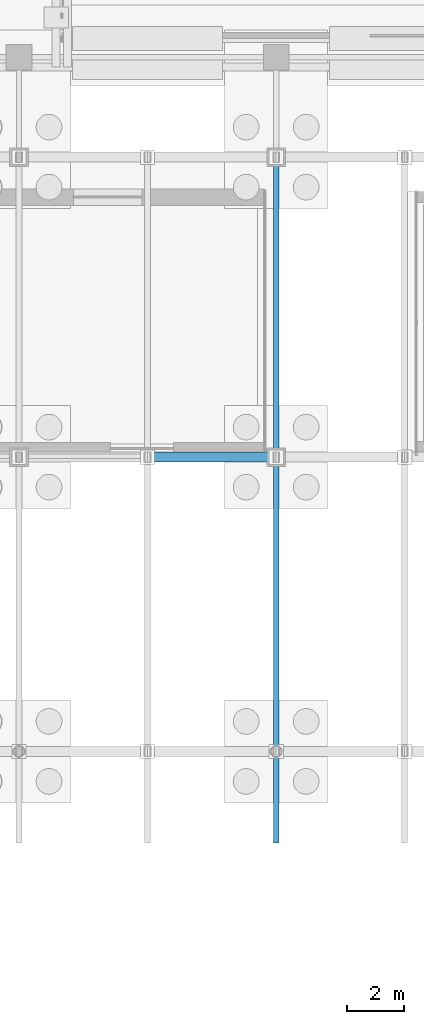
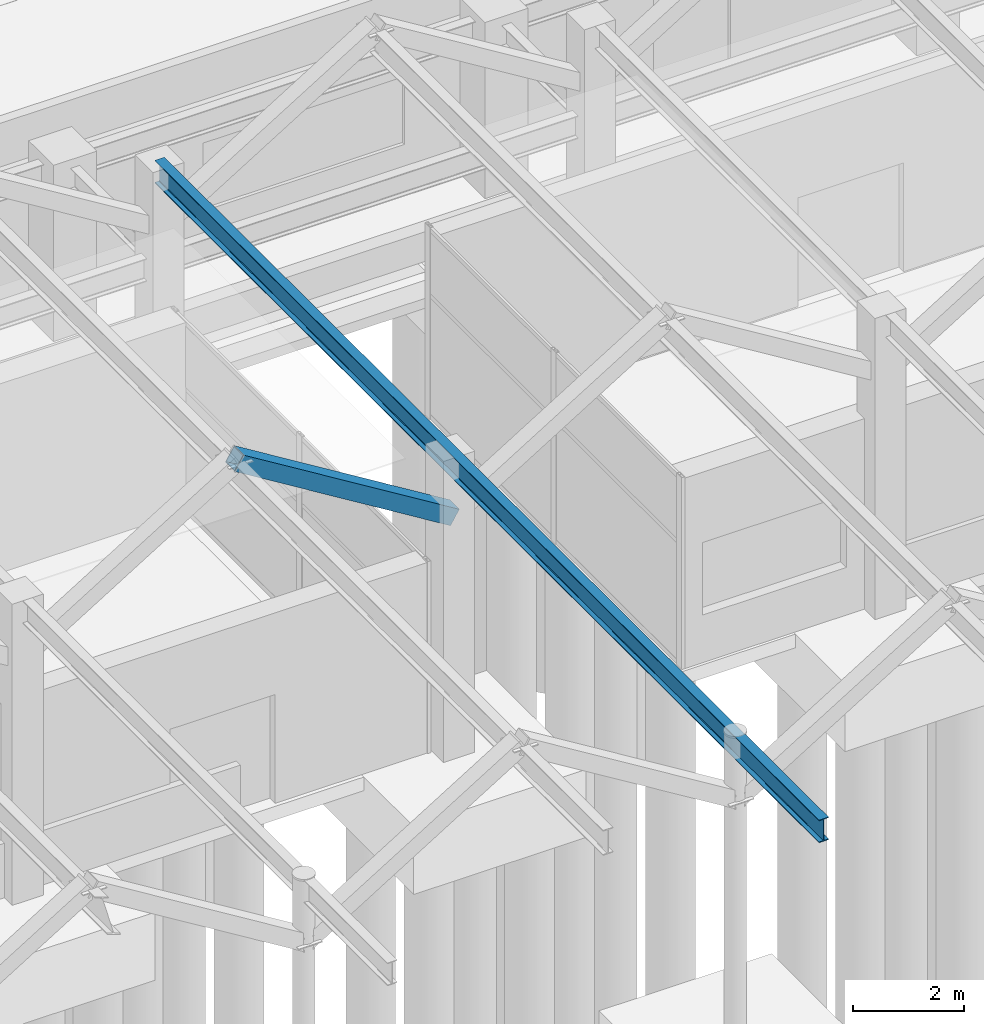
# One storey, part 43 of 160: 1 beam, 1 member.
"""IFC4 building model written with IfcOpenShell, lengths in metres."""

from ifc_helpers import new_model, si_unit, direction, frame, origin, origin_2d, place, context, subcontext, project, spatial, hollow_rectangle, i_section, extrude, material, material_profile, profile_set, type_object, element, save


model = new_model("IFC4")

# Units and contexts
model_context = context("Model", 3, precision=1e-05, world=origin(), true_north=direction((0.0, 1.0)))
body_context = subcontext(model_context, "Body", "Model", "MODEL_VIEW")
ifc_project = project(units=[si_unit("LENGTHUNIT", "METRE"), si_unit("AREAUNIT", "SQUARE_METRE"), si_unit("VOLUMEUNIT", "CUBIC_METRE"), si_unit("PLANEANGLEUNIT", "RADIAN"), si_unit("MASSUNIT", "GRAM", prefix="KILO")], contexts=[model_context])

# Site, building, storey
site_placement = place(None, origin())
site = spatial("IfcSite", under=ifc_project, at=site_placement, CompositionType="ELEMENT")
building_placement = place(site_placement, origin())
building = spatial("IfcBuilding", under=site, at=building_placement, Name="Marlcrest Central Station", CompositionType="ELEMENT")
storey_placement = place(building_placement, origin())
storey = spatial("IfcBuildingStorey", under=building, at=storey_placement, Name="L00", CompositionType="ELEMENT", Elevation=0.0)

# Beam
ifc_material = material(Name="Steel S355", Category="steel")
ifc_material_profile_1 = material_profile(ifc_material, i_section(OverallWidth=0.199951171875, OverallDepth=0.5, WebThickness=0.01025390625, FlangeThickness=0.01611328125, FilletRadius=0.02099609375, at=origin_2d()), Name="IPE 500")
ifc_profile_set_1 = profile_set([ifc_material_profile_1], Name="Steel S355")
beam_type = type_object("IfcBeamType", Name="BM-05", PredefinedType="BEAM", material=ifc_profile_set_1)
beam_placement = place(storey_placement, frame((18.0, 9.0, 6.389892578125), z_axis=(0.0, 1.0, 0.0), x_axis=(-1.0, 0.0, 0.0)))
element("IfcBeam", 1, at=beam_placement, inside=storey, type_object=beam_type, Name="bm-BM-05-L00-01042", PredefinedType="BEAM", context=body_context, shape_type="SweptSolid", body=[
    extrude(i_section(OverallWidth=0.199951171875, OverallDepth=0.5, WebThickness=0.01025390625, FlangeThickness=0.01611328125, FilletRadius=0.02099609375, at=origin_2d()), origin(), (0.0, 0.0, 1.0), 24.0),
])

# Member
ifc_material_profile_2 = material_profile(ifc_material, hollow_rectangle(XDim=0.35009765625, YDim=0.35009765625, WallThickness=0.01611328125, at=origin_2d()), Name="SHS 350x350x16")
ifc_profile_set_2 = profile_set([ifc_material_profile_2], Name="Steel S355")
member_type = type_object("IfcMemberType", Name="ST-02", PredefinedType="STRUT", material=ifc_profile_set_2)
member_placement = place(storey_placement, frame((18.0, 22.5, 5.199951171875), z_axis=(-0.851591684043, 0.0, 0.524205688322), x_axis=(0.0, -1.0, 0.0)))
element("IfcMember", 2, at=member_placement, inside=storey, type_object=member_type, Name="mem-ST-02-L00-00028", PredefinedType="STRUT", context=body_context, shape_type="SweptSolid", body=[
    extrude(hollow_rectangle(XDim=0.35009765625, YDim=0.35009765625, WallThickness=0.01611328125, at=origin_2d()), origin(), (0.0, 0.0, 1.0), 5.2841796875),
])

save(model, "model.ifc")
